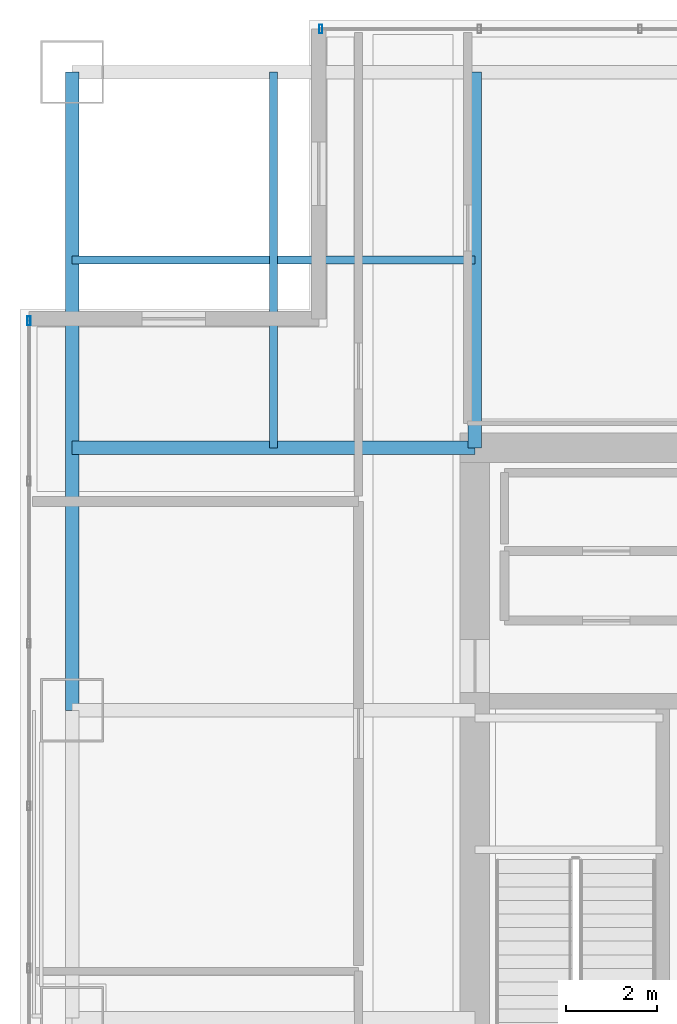
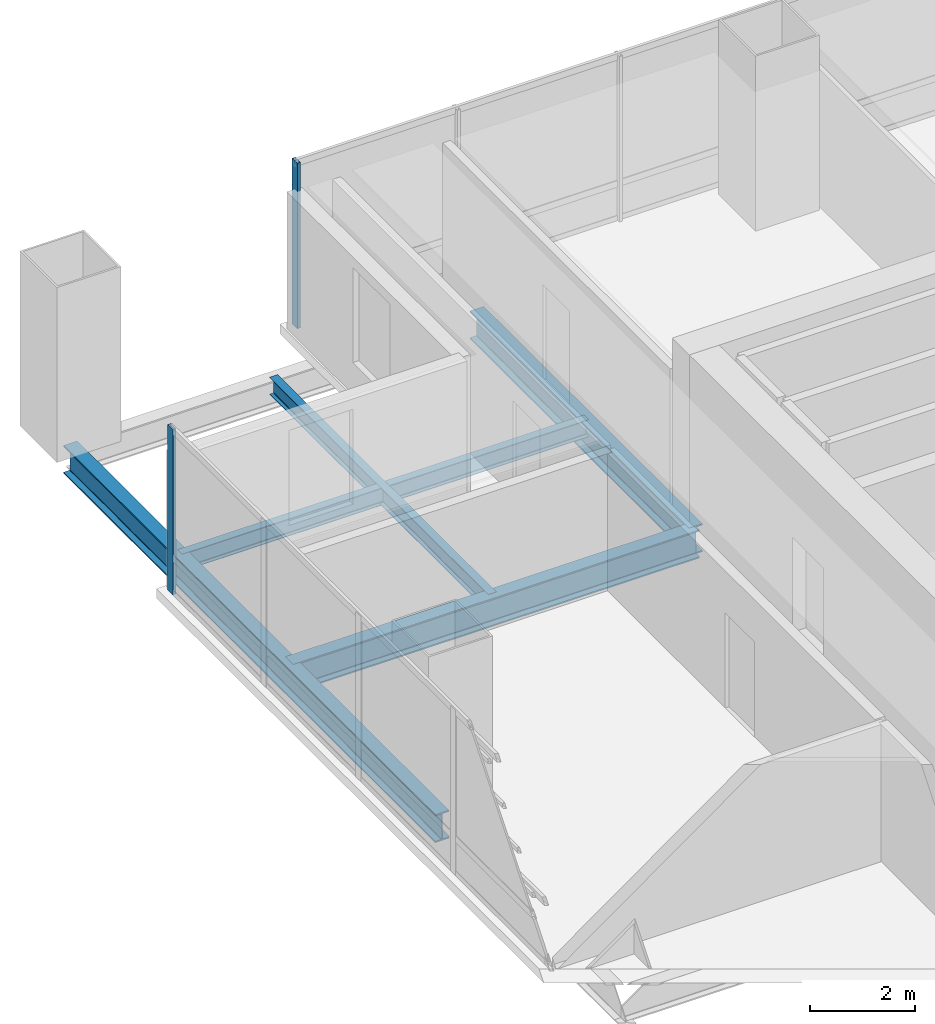
# One storey, part 21 of 37: 5 beams, 2 members, 2 elements without a shape of their own.
"""IFC4 building model written with IfcOpenShell, lengths in metres."""

from ifc_helpers import new_model, si_unit, direction, frame, origin, origin_2d, place, context, subcontext, project, spatial, hollow_rectangle, i_section, extrude, material, material_profile, profile_set, type_object, element, aggregate, save


model = new_model("IFC4")

# Units and contexts
model_context = context("Model", 3, precision=1e-05, world=origin(), true_north=direction((0.0, 1.0)))
body_context = subcontext(model_context, "Body", "Model", "MODEL_VIEW")
ifc_project = project(units=[si_unit("LENGTHUNIT", "METRE"), si_unit("AREAUNIT", "SQUARE_METRE"), si_unit("VOLUMEUNIT", "CUBIC_METRE"), si_unit("PLANEANGLEUNIT", "RADIAN"), si_unit("MASSUNIT", "GRAM", prefix="KILO")], contexts=[model_context])

# Site, building, storey
site_placement = place(None, origin())
site = spatial("IfcSite", under=ifc_project, at=site_placement, CompositionType="ELEMENT")
building_placement = place(site_placement, origin())
building = spatial("IfcBuilding", under=site, at=building_placement, Name="Punatoya Terracotta Tower", CompositionType="ELEMENT")
storey_placement = place(building_placement, frame((0.0, 0.0, 224.85009765625)))
storey = spatial("IfcBuildingStorey", under=building, at=storey_placement, Name="L53", CompositionType="ELEMENT", Elevation=224.85009765625)

# Beams
ifc_material_1 = material(Name="Steel S355", Category="steel")
ifc_material_profile_1 = material_profile(ifc_material_1, i_section(OverallWidth=0.300048828125, OverallDepth=0.64990234375, WebThickness=0.01611328125, FlangeThickness=0.031005859375, FilletRadius=0.01806640625, at=origin_2d()))
ifc_profile_set_1 = profile_set([ifc_material_profile_1], Name="Steel S355")
beam_type_1 = type_object("IfcBeamType", Name="BM-PRI-650", PredefinedType="BEAM", material=ifc_profile_set_1)
beam_1_placement = place(storey_placement, frame((-19.10009765625, 3.39990234375, -0.545166015625), z_axis=(0.0, 1.0, 0.0), x_axis=(-1.0, 0.0, 0.0)))
element("IfcBeam", 1, at=beam_1_placement, inside=storey, type_object=beam_type_1, Name="BM-L53-RG-W3", PredefinedType="BEAM", context=body_context, shape_type="SweptSolid", body=[
    extrude(i_section(OverallWidth=0.300048828125, OverallDepth=0.64990234375, WebThickness=0.01611328125, FlangeThickness=0.031005859375, FilletRadius=0.01806640625, at=origin_2d()), origin(), (0.0, 0.0, 1.0), 14.10009765625),
])
beam_2_placement = place(storey_placement, frame((-19.10009765625, 9.199951171875, -0.545166015625), z_axis=(1.0, 0.0, 0.0), x_axis=(0.0, 1.0, 0.0)))
element("IfcBeam", 2, at=beam_2_placement, inside=storey, type_object=beam_type_1, Name="BM-L53-PR-WN", PredefinedType="BEAM", context=body_context, shape_type="SweptSolid", body=[
    extrude(i_section(OverallWidth=0.300048828125, OverallDepth=0.64990234375, WebThickness=0.01611328125, FlangeThickness=0.031005859375, FilletRadius=0.01806640625, at=origin_2d()), origin(), (0.0, 0.0, 1.0), 8.900146484375),
])
beam_3_placement = place(storey_placement, frame((-10.199951171875, 9.199951171875, -0.545166015625), z_axis=(0.0, 1.0, 0.0), x_axis=(-1.0, 0.0, 0.0)))
element("IfcBeam", 3, at=beam_3_placement, inside=storey, type_object=beam_type_1, Name="BM-L53-PR-N1", PredefinedType="BEAM", context=body_context, shape_type="SweptSolid", body=[
    extrude(i_section(OverallWidth=0.300048828125, OverallDepth=0.64990234375, WebThickness=0.01611328125, FlangeThickness=0.031005859375, FilletRadius=0.01806640625, at=origin_2d()), origin(), (0.0, 0.0, 1.0), 8.300048828125),
])
ifc_material_profile_2 = material_profile(ifc_material_1, i_section(OverallWidth=0.179931640625, OverallDepth=0.39990234375, WebThickness=0.008544921875, FlangeThickness=0.013427734375, FilletRadius=0.01806640625, at=origin_2d()))
ifc_profile_set_2 = profile_set([ifc_material_profile_2], Name="Steel S355")
beam_type_2 = type_object("IfcBeamType", Name="BM-SEC-400", PredefinedType="JOIST", material=ifc_profile_set_2)
beam_4_placement = place(storey_placement, frame((-19.10009765625, 13.35009765625, -0.420166015625), z_axis=(1.0, 0.0, 0.0), x_axis=(0.0, 1.0, 0.0)))
element("IfcBeam", 4, at=beam_4_placement, inside=storey, type_object=beam_type_2, Name="BM-L53-SJN-1", PredefinedType="JOIST", context=body_context, shape_type="SweptSolid", body=[
    extrude(i_section(OverallWidth=0.179931640625, OverallDepth=0.39990234375, WebThickness=0.008544921875, FlangeThickness=0.013427734375, FilletRadius=0.01806640625, at=origin_2d()), origin(), (0.0, 0.0, 1.0), 8.900146484375),
])
beam_5_placement = place(storey_placement, frame((-14.64990234375, 9.199951171875, -0.420166015625), z_axis=(0.0, 1.0, 0.0), x_axis=(-1.0, 0.0, 0.0)))
element("IfcBeam", 5, at=beam_5_placement, inside=storey, type_object=beam_type_2, Name="BM-L53-SJW-2", PredefinedType="JOIST", context=body_context, shape_type="SweptSolid", body=[
    extrude(i_section(OverallWidth=0.179931640625, OverallDepth=0.39990234375, WebThickness=0.008544921875, FlangeThickness=0.013427734375, FilletRadius=0.01806640625, at=origin_2d()), origin(), (0.0, 0.0, 1.0), 8.300048828125),
])

# Curtain wall, member
ifc_material_2 = material(Name="Aluminium 6063-T6 + Double Low-E Glass", Category="aluminium")
curtain_wall_type = type_object("IfcCurtainWallType", Name="CW-M2", PredefinedType="NOTDEFINED", material=ifc_material_2)
curtain_wall_1_placement = place(storey_placement, origin())
curtain_wall_1 = element("IfcCurtainWall", 6, at=curtain_wall_1_placement, inside=storey, type_object=curtain_wall_type, Name="L53 Curtain Wall CW-L53-N08-1", PredefinedType="NOTDEFINED")
ifc_material_3 = material(Name="Aluminium 6063-T6", Category="aluminium")
ifc_material_profile_3 = material_profile(ifc_material_3, hollow_rectangle(XDim=0.072021484375, YDim=0.195068359375, WallThickness=0.00439453125, at=origin_2d()))
ifc_profile_set_3 = profile_set([ifc_material_profile_3], Name="Aluminium 6063-T6")
member_type = type_object("IfcMemberType", Name="CW-MUL-M2", PredefinedType="MULLION", material=ifc_profile_set_3)
member_1_placement = place(storey_placement, frame((-13.60498046875, 18.449951171875, 0.0), z_axis=(0.0, 0.0, 1.0), x_axis=(1.0, 0.0, 0.0)))
member_1 = element("IfcMember", 7, at=member_1_placement, type_object=member_type, Name="CW-L53-N08-1 Mullion 10", PredefinedType="MULLION", context=body_context, shape_type="SweptSolid", body=[
    extrude(hollow_rectangle(XDim=0.072021484375, YDim=0.195068359375, WallThickness=0.00439453125, at=origin_2d()), origin(), (0.0, 0.0, 1.0), 3.829833984375),
])
aggregate(curtain_wall_1, [member_1])

curtain_wall_2_placement = place(storey_placement, origin())
curtain_wall_2 = element("IfcCurtainWall", 8, at=curtain_wall_2_placement, inside=storey, type_object=curtain_wall_type, Name="L53 Curtain Wall CW-L53-W11-1", PredefinedType="NOTDEFINED")
member_2_placement = place(storey_placement, frame((-20.050048828125, 12.0048828125, 0.0), z_axis=(0.0, 0.0, 1.0), x_axis=(1.0, 0.0, 0.0)))
member_2 = element("IfcMember", 9, at=member_2_placement, type_object=member_type, Name="CW-L53-W11-1 Mullion 00", PredefinedType="MULLION", context=body_context, shape_type="SweptSolid", body=[
    extrude(hollow_rectangle(XDim=0.072021484375, YDim=0.195068359375, WallThickness=0.00439453125, at=origin_2d()), origin(), (0.0, 0.0, 1.0), 3.829833984375),
])
aggregate(curtain_wall_2, [member_2])

save(model, "model.ifc")
